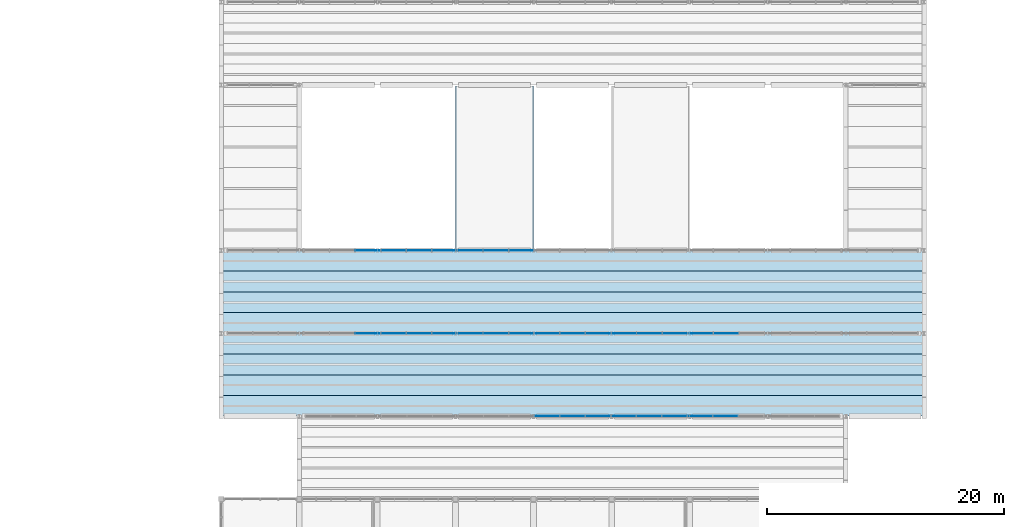
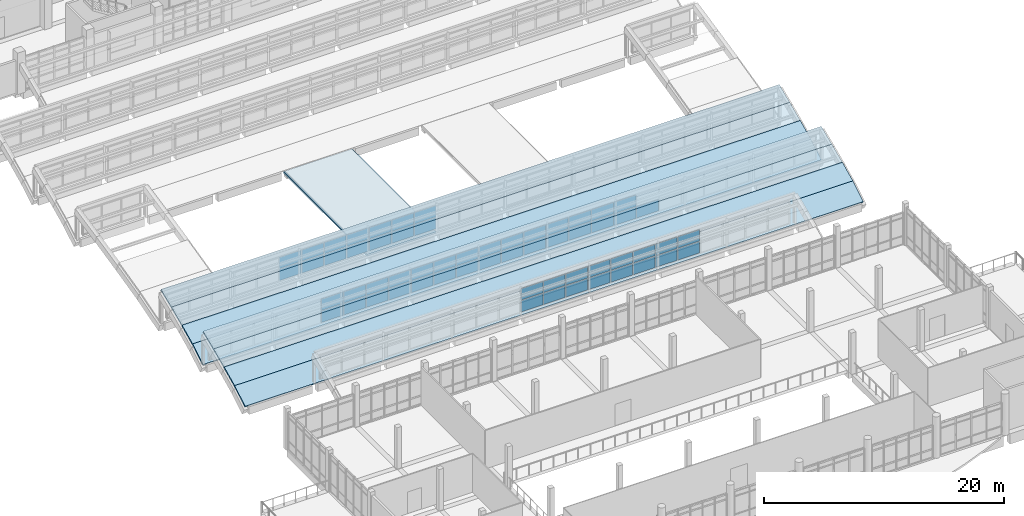
# One storey, part 69 of 92: 59 plates, 9 slabs, 4 elements without a shape of their own.
"""IFC4 building model written with IfcOpenShell, lengths in metres."""

from ifc_helpers import new_model, si_unit, direction, frame, origin, origin_2d, place, context, subcontext, project, spatial, polyline, rectangle, outline, extrude, material, layer, layer_set, type_object, element, aggregate, save


model = new_model("IFC4")

# Units and contexts
model_context = context("Model", 3, precision=1e-05, world=origin(), true_north=direction((0.0, 1.0)))
body_context = subcontext(model_context, "Body", "Model", "MODEL_VIEW")
ifc_project = project(units=[si_unit("LENGTHUNIT", "METRE"), si_unit("AREAUNIT", "SQUARE_METRE"), si_unit("VOLUMEUNIT", "CUBIC_METRE"), si_unit("PLANEANGLEUNIT", "RADIAN"), si_unit("MASSUNIT", "GRAM", prefix="KILO")], contexts=[model_context])

# Site, building, storey
site_placement = place(None, origin())
site = spatial("IfcSite", under=ifc_project, at=site_placement, CompositionType="ELEMENT")
building_placement = place(site_placement, origin())
building = spatial("IfcBuilding", under=site, at=building_placement, Name="Ciguamira Faculty of Natural Sciences", CompositionType="ELEMENT")
storey_placement = place(building_placement, frame((0.0, 0.0, 16.800048828125)))
storey = spatial("IfcBuildingStorey", under=building, at=storey_placement, Name="L04", CompositionType="ELEMENT", Elevation=16.800048828125)

# Curtain wall, plates
ifc_material_1 = material(Name="Anodized aluminium curtain wall", Category="aluminium")
curtain_wall_type_1 = type_object("IfcCurtainWallType", Name="CurtainWall_CW-02", PredefinedType="USERDEFINED", material=ifc_material_1)
curtain_wall_1_placement = place(storey_placement, origin())
curtain_wall_1 = element("IfcCurtainWall", 1, at=curtain_wall_1_placement, inside=storey, type_object=curtain_wall_type_1, Name="V4 north-light wave 1 clerestory glazing 1", ObjectType="UNITISED CURTAIN WALL", PredefinedType="USERDEFINED")
ifc_material_2 = material(Name="Low-E laminated solar glass", Category="glass")
ifc_layer_1 = layer(ifc_material_2, 0.035888671875, Name="Low-E laminated solar glass")
ifc_layer_set_1 = layer_set([ifc_layer_1], Name="Low-E laminated solar glass")
plate_type = type_object("IfcPlateType", Name="CWPanel_CWP-02", PredefinedType="CURTAIN_PANEL", material=ifc_layer_set_1)
plate_1_placement = place(storey_placement, frame((84.84765625, 45.0, 0.31982421875), z_axis=(0.0, 0.0, 1.0), x_axis=(1.0, 0.0, 0.0)))
plate_1 = element("IfcPlate", 2, at=plate_1_placement, type_object=plate_type, Name="CW-02 panel 10.1", PredefinedType="CURTAIN_PANEL", context=body_context, shape_type="SweptSolid", body=[
    extrude(rectangle(XDim=2.082275390625, YDim=0.035888671875, at=origin_2d()), origin(), (0.0, 0.0, 1.0), 1.14501953125),
])
plate_2_placement = place(storey_placement, frame((84.84765625, 45.0, 1.534912109375), z_axis=(0.0, 0.0, 1.0), x_axis=(1.0, 0.0, 0.0)))
plate_2 = element("IfcPlate", 3, at=plate_2_placement, type_object=plate_type, Name="CW-02 panel 10.2", PredefinedType="CURTAIN_PANEL", context=body_context, shape_type="SweptSolid", body=[
    extrude(rectangle(XDim=2.082275390625, YDim=0.035888671875, at=origin_2d()), origin(), (0.0, 0.0, 1.0), 1.14501953125),
])
plate_3_placement = place(storey_placement, frame((87.0, 45.0, 0.31982421875), z_axis=(0.0, 0.0, 1.0), x_axis=(1.0, 0.0, 0.0)))
plate_3 = element("IfcPlate", 4, at=plate_3_placement, type_object=plate_type, Name="CW-02 panel 11.1", PredefinedType="CURTAIN_PANEL", context=body_context, shape_type="SweptSolid", body=[
    extrude(rectangle(XDim=2.082275390625, YDim=0.035888671875, at=origin_2d()), origin(), (0.0, 0.0, 1.0), 1.14501953125),
])
plate_4_placement = place(storey_placement, frame((87.0, 45.0, 1.534912109375), z_axis=(0.0, 0.0, 1.0), x_axis=(1.0, 0.0, 0.0)))
plate_4 = element("IfcPlate", 5, at=plate_4_placement, type_object=plate_type, Name="CW-02 panel 11.2", PredefinedType="CURTAIN_PANEL", context=body_context, shape_type="SweptSolid", body=[
    extrude(rectangle(XDim=2.082275390625, YDim=0.035888671875, at=origin_2d()), origin(), (0.0, 0.0, 1.0), 1.14501953125),
])
plate_5_placement = place(storey_placement, frame((89.15234375, 45.0, 0.31982421875), z_axis=(0.0, 0.0, 1.0), x_axis=(1.0, 0.0, 0.0)))
plate_5 = element("IfcPlate", 6, at=plate_5_placement, type_object=plate_type, Name="CW-02 panel 12.1", PredefinedType="CURTAIN_PANEL", context=body_context, shape_type="SweptSolid", body=[
    extrude(rectangle(XDim=2.082275390625, YDim=0.035888671875, at=origin_2d()), origin(), (0.0, 0.0, 1.0), 1.14501953125),
])
plate_6_placement = place(storey_placement, frame((89.15234375, 45.0, 1.534912109375), z_axis=(0.0, 0.0, 1.0), x_axis=(1.0, 0.0, 0.0)))
plate_6 = element("IfcPlate", 7, at=plate_6_placement, type_object=plate_type, Name="CW-02 panel 12.2", PredefinedType="CURTAIN_PANEL", context=body_context, shape_type="SweptSolid", body=[
    extrude(rectangle(XDim=2.082275390625, YDim=0.035888671875, at=origin_2d()), origin(), (0.0, 0.0, 1.0), 1.14501953125),
])
plate_7_placement = place(storey_placement, frame((91.3046875, 45.0, 0.31982421875), z_axis=(0.0, 0.0, 1.0), x_axis=(1.0, 0.0, 0.0)))
plate_7 = element("IfcPlate", 8, at=plate_7_placement, type_object=plate_type, Name="CW-02 panel 13.1", PredefinedType="CURTAIN_PANEL", context=body_context, shape_type="SweptSolid", body=[
    extrude(rectangle(XDim=2.082275390625, YDim=0.035888671875, at=origin_2d()), origin(), (0.0, 0.0, 1.0), 1.14501953125),
])
plate_8_placement = place(storey_placement, frame((91.3046875, 45.0, 1.534912109375), z_axis=(0.0, 0.0, 1.0), x_axis=(1.0, 0.0, 0.0)))
plate_8 = element("IfcPlate", 9, at=plate_8_placement, type_object=plate_type, Name="CW-02 panel 13.2", PredefinedType="CURTAIN_PANEL", context=body_context, shape_type="SweptSolid", body=[
    extrude(rectangle(XDim=2.082275390625, YDim=0.035888671875, at=origin_2d()), origin(), (0.0, 0.0, 1.0), 1.14501953125),
])
plate_9_placement = place(storey_placement, frame((93.45703125, 45.0, 0.31982421875), z_axis=(0.0, 0.0, 1.0), x_axis=(1.0, 0.0, 0.0)))
plate_9 = element("IfcPlate", 10, at=plate_9_placement, type_object=plate_type, Name="CW-02 panel 14.1", PredefinedType="CURTAIN_PANEL", context=body_context, shape_type="SweptSolid", body=[
    extrude(rectangle(XDim=2.082275390625, YDim=0.035888671875, at=origin_2d()), origin(), (0.0, 0.0, 1.0), 1.14501953125),
])
plate_10_placement = place(storey_placement, frame((93.45703125, 45.0, 1.534912109375), z_axis=(0.0, 0.0, 1.0), x_axis=(1.0, 0.0, 0.0)))
plate_10 = element("IfcPlate", 11, at=plate_10_placement, type_object=plate_type, Name="CW-02 panel 14.2", PredefinedType="CURTAIN_PANEL", context=body_context, shape_type="SweptSolid", body=[
    extrude(rectangle(XDim=2.082275390625, YDim=0.035888671875, at=origin_2d()), origin(), (0.0, 0.0, 1.0), 1.14501953125),
])
plate_11_placement = place(storey_placement, frame((95.609619140625, 45.0, 0.31982421875), z_axis=(0.0, 0.0, 1.0), x_axis=(1.0, 0.0, 0.0)))
plate_11 = element("IfcPlate", 12, at=plate_11_placement, type_object=plate_type, Name="CW-02 panel 15.1", PredefinedType="CURTAIN_PANEL", context=body_context, shape_type="SweptSolid", body=[
    extrude(rectangle(XDim=2.082275390625, YDim=0.035888671875, at=origin_2d()), origin(), (0.0, 0.0, 1.0), 1.14501953125),
])
plate_12_placement = place(storey_placement, frame((95.609619140625, 45.0, 1.534912109375), z_axis=(0.0, 0.0, 1.0), x_axis=(1.0, 0.0, 0.0)))
plate_12 = element("IfcPlate", 13, at=plate_12_placement, type_object=plate_type, Name="CW-02 panel 15.2", PredefinedType="CURTAIN_PANEL", context=body_context, shape_type="SweptSolid", body=[
    extrude(rectangle(XDim=2.082275390625, YDim=0.035888671875, at=origin_2d()), origin(), (0.0, 0.0, 1.0), 1.14501953125),
])
plate_13_placement = place(storey_placement, frame((97.761962890625, 45.0, 0.31982421875), z_axis=(0.0, 0.0, 1.0), x_axis=(1.0, 0.0, 0.0)))
plate_13 = element("IfcPlate", 14, at=plate_13_placement, type_object=plate_type, Name="CW-02 panel 16.1", PredefinedType="CURTAIN_PANEL", context=body_context, shape_type="SweptSolid", body=[
    extrude(rectangle(XDim=2.082275390625, YDim=0.035888671875, at=origin_2d()), origin(), (0.0, 0.0, 1.0), 1.14501953125),
])
plate_14_placement = place(storey_placement, frame((97.761962890625, 45.0, 1.534912109375), z_axis=(0.0, 0.0, 1.0), x_axis=(1.0, 0.0, 0.0)))
plate_14 = element("IfcPlate", 15, at=plate_14_placement, type_object=plate_type, Name="CW-02 panel 16.2", PredefinedType="CURTAIN_PANEL", context=body_context, shape_type="SweptSolid", body=[
    extrude(rectangle(XDim=2.082275390625, YDim=0.035888671875, at=origin_2d()), origin(), (0.0, 0.0, 1.0), 1.14501953125),
])
plate_15_placement = place(storey_placement, frame((99.914306640625, 45.0, 0.31982421875), z_axis=(0.0, 0.0, 1.0), x_axis=(1.0, 0.0, 0.0)))
plate_15 = element("IfcPlate", 16, at=plate_15_placement, type_object=plate_type, Name="CW-02 panel 17.1", PredefinedType="CURTAIN_PANEL", context=body_context, shape_type="SweptSolid", body=[
    extrude(rectangle(XDim=2.082275390625, YDim=0.035888671875, at=origin_2d()), origin(), (0.0, 0.0, 1.0), 1.14501953125),
])
plate_16_placement = place(storey_placement, frame((99.914306640625, 45.0, 1.534912109375), z_axis=(0.0, 0.0, 1.0), x_axis=(1.0, 0.0, 0.0)))
plate_16 = element("IfcPlate", 17, at=plate_16_placement, type_object=plate_type, Name="CW-02 panel 17.2", PredefinedType="CURTAIN_PANEL", context=body_context, shape_type="SweptSolid", body=[
    extrude(rectangle(XDim=2.082275390625, YDim=0.035888671875, at=origin_2d()), origin(), (0.0, 0.0, 1.0), 1.14501953125),
])
aggregate(curtain_wall_1, [plate_1, plate_2, plate_3, plate_4, plate_5, plate_6, plate_7, plate_8, plate_9, plate_10, plate_11, plate_12, plate_13, plate_14, plate_15, plate_16])

curtain_wall_type_2 = type_object("IfcCurtainWallType", Name="CurtainWall_CW-03", PredefinedType="USERDEFINED", material=ifc_material_1)
curtain_wall_2_placement = place(storey_placement, origin())
curtain_wall_2 = element("IfcCurtainWall", 18, at=curtain_wall_2_placement, inside=storey, type_object=curtain_wall_type_2, Name="V4 north-light wave 2 clerestory glazing 1", ObjectType="UNITISED CURTAIN WALL", PredefinedType="USERDEFINED")
plate_17_placement = place(storey_placement, frame((69.6962890625, 52.0, 0.31982421875), z_axis=(0.0, 0.0, 1.0), x_axis=(1.0, 0.0, 0.0)))
plate_17 = element("IfcPlate", 19, at=plate_17_placement, type_object=plate_type, Name="CW-03 panel 6.1", PredefinedType="CURTAIN_PANEL", context=body_context, shape_type="SweptSolid", body=[
    extrude(rectangle(XDim=2.093017578125, YDim=0.035888671875, at=origin_2d()), origin(), (0.0, 0.0, 1.0), 1.14501953125),
])
plate_18_placement = place(storey_placement, frame((69.6962890625, 52.0, 1.534912109375), z_axis=(0.0, 0.0, 1.0), x_axis=(1.0, 0.0, 0.0)))
plate_18 = element("IfcPlate", 20, at=plate_18_placement, type_object=plate_type, Name="CW-03 panel 6.2", PredefinedType="CURTAIN_PANEL", context=body_context, shape_type="SweptSolid", body=[
    extrude(rectangle(XDim=2.093017578125, YDim=0.035888671875, at=origin_2d()), origin(), (0.0, 0.0, 1.0), 1.14501953125),
])
plate_19_placement = place(storey_placement, frame((71.859375, 52.0, 0.31982421875), z_axis=(0.0, 0.0, 1.0), x_axis=(1.0, 0.0, 0.0)))
plate_19 = element("IfcPlate", 21, at=plate_19_placement, type_object=plate_type, Name="CW-03 panel 7.1", PredefinedType="CURTAIN_PANEL", context=body_context, shape_type="SweptSolid", body=[
    extrude(rectangle(XDim=2.093017578125, YDim=0.035888671875, at=origin_2d()), origin(), (0.0, 0.0, 1.0), 1.14501953125),
])
plate_20_placement = place(storey_placement, frame((71.859375, 52.0, 1.534912109375), z_axis=(0.0, 0.0, 1.0), x_axis=(1.0, 0.0, 0.0)))
plate_20 = element("IfcPlate", 22, at=plate_20_placement, type_object=plate_type, Name="CW-03 panel 7.2", PredefinedType="CURTAIN_PANEL", context=body_context, shape_type="SweptSolid", body=[
    extrude(rectangle(XDim=2.093017578125, YDim=0.035888671875, at=origin_2d()), origin(), (0.0, 0.0, 1.0), 1.14501953125),
])
plate_21_placement = place(storey_placement, frame((74.022216796875, 52.0, 0.31982421875), z_axis=(0.0, 0.0, 1.0), x_axis=(1.0, 0.0, 0.0)))
plate_21 = element("IfcPlate", 23, at=plate_21_placement, type_object=plate_type, Name="CW-03 panel 8.1", PredefinedType="CURTAIN_PANEL", context=body_context, shape_type="SweptSolid", body=[
    extrude(rectangle(XDim=2.093017578125, YDim=0.035888671875, at=origin_2d()), origin(), (0.0, 0.0, 1.0), 1.14501953125),
])
plate_22_placement = place(storey_placement, frame((74.022216796875, 52.0, 1.534912109375), z_axis=(0.0, 0.0, 1.0), x_axis=(1.0, 0.0, 0.0)))
plate_22 = element("IfcPlate", 24, at=plate_22_placement, type_object=plate_type, Name="CW-03 panel 8.2", PredefinedType="CURTAIN_PANEL", context=body_context, shape_type="SweptSolid", body=[
    extrude(rectangle(XDim=2.093017578125, YDim=0.035888671875, at=origin_2d()), origin(), (0.0, 0.0, 1.0), 1.14501953125),
])
plate_23_placement = place(storey_placement, frame((76.185302734375, 52.0, 0.31982421875), z_axis=(0.0, 0.0, 1.0), x_axis=(1.0, 0.0, 0.0)))
plate_23 = element("IfcPlate", 25, at=plate_23_placement, type_object=plate_type, Name="CW-03 panel 9.1", PredefinedType="CURTAIN_PANEL", context=body_context, shape_type="SweptSolid", body=[
    extrude(rectangle(XDim=2.093017578125, YDim=0.035888671875, at=origin_2d()), origin(), (0.0, 0.0, 1.0), 1.14501953125),
])
plate_24_placement = place(storey_placement, frame((76.185302734375, 52.0, 1.534912109375), z_axis=(0.0, 0.0, 1.0), x_axis=(1.0, 0.0, 0.0)))
plate_24 = element("IfcPlate", 26, at=plate_24_placement, type_object=plate_type, Name="CW-03 panel 9.2", PredefinedType="CURTAIN_PANEL", context=body_context, shape_type="SweptSolid", body=[
    extrude(rectangle(XDim=2.093017578125, YDim=0.035888671875, at=origin_2d()), origin(), (0.0, 0.0, 1.0), 1.14501953125),
])
plate_25_placement = place(storey_placement, frame((78.34814453125, 52.0, 0.31982421875), z_axis=(0.0, 0.0, 1.0), x_axis=(1.0, 0.0, 0.0)))
plate_25 = element("IfcPlate", 27, at=plate_25_placement, type_object=plate_type, Name="CW-03 panel 10.1", PredefinedType="CURTAIN_PANEL", context=body_context, shape_type="SweptSolid", body=[
    extrude(rectangle(XDim=2.093017578125, YDim=0.035888671875, at=origin_2d()), origin(), (0.0, 0.0, 1.0), 1.14501953125),
])
plate_26_placement = place(storey_placement, frame((78.34814453125, 52.0, 1.534912109375), z_axis=(0.0, 0.0, 1.0), x_axis=(1.0, 0.0, 0.0)))
plate_26 = element("IfcPlate", 28, at=plate_26_placement, type_object=plate_type, Name="CW-03 panel 10.2", PredefinedType="CURTAIN_PANEL", context=body_context, shape_type="SweptSolid", body=[
    extrude(rectangle(XDim=2.093017578125, YDim=0.035888671875, at=origin_2d()), origin(), (0.0, 0.0, 1.0), 1.14501953125),
])
plate_27_placement = place(storey_placement, frame((80.51123046875, 52.0, 0.31982421875), z_axis=(0.0, 0.0, 1.0), x_axis=(1.0, 0.0, 0.0)))
plate_27 = element("IfcPlate", 29, at=plate_27_placement, type_object=plate_type, Name="CW-03 panel 11.1", PredefinedType="CURTAIN_PANEL", context=body_context, shape_type="SweptSolid", body=[
    extrude(rectangle(XDim=2.093017578125, YDim=0.035888671875, at=origin_2d()), origin(), (0.0, 0.0, 1.0), 1.14501953125),
])
plate_28_placement = place(storey_placement, frame((80.51123046875, 52.0, 1.534912109375), z_axis=(0.0, 0.0, 1.0), x_axis=(1.0, 0.0, 0.0)))
plate_28 = element("IfcPlate", 30, at=plate_28_placement, type_object=plate_type, Name="CW-03 panel 11.2", PredefinedType="CURTAIN_PANEL", context=body_context, shape_type="SweptSolid", body=[
    extrude(rectangle(XDim=2.093017578125, YDim=0.035888671875, at=origin_2d()), origin(), (0.0, 0.0, 1.0), 1.14501953125),
])
plate_29_placement = place(storey_placement, frame((82.674072265625, 52.0, 0.31982421875), z_axis=(0.0, 0.0, 1.0), x_axis=(1.0, 0.0, 0.0)))
plate_29 = element("IfcPlate", 31, at=plate_29_placement, type_object=plate_type, Name="CW-03 panel 12.1", PredefinedType="CURTAIN_PANEL", context=body_context, shape_type="SweptSolid", body=[
    extrude(rectangle(XDim=2.093017578125, YDim=0.035888671875, at=origin_2d()), origin(), (0.0, 0.0, 1.0), 1.14501953125),
])
plate_30_placement = place(storey_placement, frame((82.674072265625, 52.0, 1.534912109375), z_axis=(0.0, 0.0, 1.0), x_axis=(1.0, 0.0, 0.0)))
plate_30 = element("IfcPlate", 32, at=plate_30_placement, type_object=plate_type, Name="CW-03 panel 12.2", PredefinedType="CURTAIN_PANEL", context=body_context, shape_type="SweptSolid", body=[
    extrude(rectangle(XDim=2.093017578125, YDim=0.035888671875, at=origin_2d()), origin(), (0.0, 0.0, 1.0), 1.14501953125),
])
plate_31_placement = place(storey_placement, frame((84.837158203125, 52.0, 0.31982421875), z_axis=(0.0, 0.0, 1.0), x_axis=(1.0, 0.0, 0.0)))
plate_31 = element("IfcPlate", 33, at=plate_31_placement, type_object=plate_type, Name="CW-03 panel 13.1", PredefinedType="CURTAIN_PANEL", context=body_context, shape_type="SweptSolid", body=[
    extrude(rectangle(XDim=2.093017578125, YDim=0.035888671875, at=origin_2d()), origin(), (0.0, 0.0, 1.0), 1.14501953125),
])
plate_32_placement = place(storey_placement, frame((84.837158203125, 52.0, 1.534912109375), z_axis=(0.0, 0.0, 1.0), x_axis=(1.0, 0.0, 0.0)))
plate_32 = element("IfcPlate", 34, at=plate_32_placement, type_object=plate_type, Name="CW-03 panel 13.2", PredefinedType="CURTAIN_PANEL", context=body_context, shape_type="SweptSolid", body=[
    extrude(rectangle(XDim=2.093017578125, YDim=0.035888671875, at=origin_2d()), origin(), (0.0, 0.0, 1.0), 1.14501953125),
])
plate_33_placement = place(storey_placement, frame((87.0, 52.0, 0.31982421875), z_axis=(0.0, 0.0, 1.0), x_axis=(1.0, 0.0, 0.0)))
plate_33 = element("IfcPlate", 35, at=plate_33_placement, type_object=plate_type, Name="CW-03 panel 14.1", PredefinedType="CURTAIN_PANEL", context=body_context, shape_type="SweptSolid", body=[
    extrude(rectangle(XDim=2.093017578125, YDim=0.035888671875, at=origin_2d()), origin(), (0.0, 0.0, 1.0), 1.14501953125),
])
plate_34_placement = place(storey_placement, frame((87.0, 52.0, 1.534912109375), z_axis=(0.0, 0.0, 1.0), x_axis=(1.0, 0.0, 0.0)))
plate_34 = element("IfcPlate", 36, at=plate_34_placement, type_object=plate_type, Name="CW-03 panel 14.2", PredefinedType="CURTAIN_PANEL", context=body_context, shape_type="SweptSolid", body=[
    extrude(rectangle(XDim=2.093017578125, YDim=0.035888671875, at=origin_2d()), origin(), (0.0, 0.0, 1.0), 1.14501953125),
])
plate_35_placement = place(storey_placement, frame((89.162841796875, 52.0, 0.31982421875), z_axis=(0.0, 0.0, 1.0), x_axis=(1.0, 0.0, 0.0)))
plate_35 = element("IfcPlate", 37, at=plate_35_placement, type_object=plate_type, Name="CW-03 panel 15.1", PredefinedType="CURTAIN_PANEL", context=body_context, shape_type="SweptSolid", body=[
    extrude(rectangle(XDim=2.093017578125, YDim=0.035888671875, at=origin_2d()), origin(), (0.0, 0.0, 1.0), 1.14501953125),
])
plate_36_placement = place(storey_placement, frame((89.162841796875, 52.0, 1.534912109375), z_axis=(0.0, 0.0, 1.0), x_axis=(1.0, 0.0, 0.0)))
plate_36 = element("IfcPlate", 38, at=plate_36_placement, type_object=plate_type, Name="CW-03 panel 15.2", PredefinedType="CURTAIN_PANEL", context=body_context, shape_type="SweptSolid", body=[
    extrude(rectangle(XDim=2.093017578125, YDim=0.035888671875, at=origin_2d()), origin(), (0.0, 0.0, 1.0), 1.14501953125),
])
plate_37_placement = place(storey_placement, frame((91.325927734375, 52.0, 0.31982421875), z_axis=(0.0, 0.0, 1.0), x_axis=(1.0, 0.0, 0.0)))
plate_37 = element("IfcPlate", 39, at=plate_37_placement, type_object=plate_type, Name="CW-03 panel 16.1", PredefinedType="CURTAIN_PANEL", context=body_context, shape_type="SweptSolid", body=[
    extrude(rectangle(XDim=2.093017578125, YDim=0.035888671875, at=origin_2d()), origin(), (0.0, 0.0, 1.0), 1.14501953125),
])
plate_38_placement = place(storey_placement, frame((91.325927734375, 52.0, 1.534912109375), z_axis=(0.0, 0.0, 1.0), x_axis=(1.0, 0.0, 0.0)))
plate_38 = element("IfcPlate", 40, at=plate_38_placement, type_object=plate_type, Name="CW-03 panel 16.2", PredefinedType="CURTAIN_PANEL", context=body_context, shape_type="SweptSolid", body=[
    extrude(rectangle(XDim=2.093017578125, YDim=0.035888671875, at=origin_2d()), origin(), (0.0, 0.0, 1.0), 1.14501953125),
])
plate_39_placement = place(storey_placement, frame((93.48876953125, 52.0, 0.31982421875), z_axis=(0.0, 0.0, 1.0), x_axis=(1.0, 0.0, 0.0)))
plate_39 = element("IfcPlate", 41, at=plate_39_placement, type_object=plate_type, Name="CW-03 panel 17.1", PredefinedType="CURTAIN_PANEL", context=body_context, shape_type="SweptSolid", body=[
    extrude(rectangle(XDim=2.093017578125, YDim=0.035888671875, at=origin_2d()), origin(), (0.0, 0.0, 1.0), 1.14501953125),
])
plate_40_placement = place(storey_placement, frame((93.48876953125, 52.0, 1.534912109375), z_axis=(0.0, 0.0, 1.0), x_axis=(1.0, 0.0, 0.0)))
plate_40 = element("IfcPlate", 42, at=plate_40_placement, type_object=plate_type, Name="CW-03 panel 17.2", PredefinedType="CURTAIN_PANEL", context=body_context, shape_type="SweptSolid", body=[
    extrude(rectangle(XDim=2.093017578125, YDim=0.035888671875, at=origin_2d()), origin(), (0.0, 0.0, 1.0), 1.14501953125),
])
plate_41_placement = place(storey_placement, frame((95.65185546875, 52.0, 0.31982421875), z_axis=(0.0, 0.0, 1.0), x_axis=(1.0, 0.0, 0.0)))
plate_41 = element("IfcPlate", 43, at=plate_41_placement, type_object=plate_type, Name="CW-03 panel 18.1", PredefinedType="CURTAIN_PANEL", context=body_context, shape_type="SweptSolid", body=[
    extrude(rectangle(XDim=2.093017578125, YDim=0.035888671875, at=origin_2d()), origin(), (0.0, 0.0, 1.0), 1.14501953125),
])
plate_42_placement = place(storey_placement, frame((95.65185546875, 52.0, 1.534912109375), z_axis=(0.0, 0.0, 1.0), x_axis=(1.0, 0.0, 0.0)))
plate_42 = element("IfcPlate", 44, at=plate_42_placement, type_object=plate_type, Name="CW-03 panel 18.2", PredefinedType="CURTAIN_PANEL", context=body_context, shape_type="SweptSolid", body=[
    extrude(rectangle(XDim=2.093017578125, YDim=0.035888671875, at=origin_2d()), origin(), (0.0, 0.0, 1.0), 1.14501953125),
])
plate_43_placement = place(storey_placement, frame((97.814697265625, 52.0, 0.31982421875), z_axis=(0.0, 0.0, 1.0), x_axis=(1.0, 0.0, 0.0)))
plate_43 = element("IfcPlate", 45, at=plate_43_placement, type_object=plate_type, Name="CW-03 panel 19.1", PredefinedType="CURTAIN_PANEL", context=body_context, shape_type="SweptSolid", body=[
    extrude(rectangle(XDim=2.093017578125, YDim=0.035888671875, at=origin_2d()), origin(), (0.0, 0.0, 1.0), 1.14501953125),
])
plate_44_placement = place(storey_placement, frame((97.814697265625, 52.0, 1.534912109375), z_axis=(0.0, 0.0, 1.0), x_axis=(1.0, 0.0, 0.0)))
plate_44 = element("IfcPlate", 46, at=plate_44_placement, type_object=plate_type, Name="CW-03 panel 19.2", PredefinedType="CURTAIN_PANEL", context=body_context, shape_type="SweptSolid", body=[
    extrude(rectangle(XDim=2.093017578125, YDim=0.035888671875, at=origin_2d()), origin(), (0.0, 0.0, 1.0), 1.14501953125),
])
plate_45_placement = place(storey_placement, frame((99.977783203125, 52.0, 0.31982421875), z_axis=(0.0, 0.0, 1.0), x_axis=(1.0, 0.0, 0.0)))
plate_45 = element("IfcPlate", 47, at=plate_45_placement, type_object=plate_type, Name="CW-03 panel 20.1", PredefinedType="CURTAIN_PANEL", context=body_context, shape_type="SweptSolid", body=[
    extrude(rectangle(XDim=2.093017578125, YDim=0.035888671875, at=origin_2d()), origin(), (0.0, 0.0, 1.0), 1.14501953125),
])
aggregate(curtain_wall_2, [plate_17, plate_18, plate_19, plate_20, plate_21, plate_22, plate_23, plate_24, plate_25, plate_26, plate_27, plate_28, plate_29, plate_30, plate_31, plate_32, plate_33, plate_34, plate_35, plate_36, plate_37, plate_38, plate_39, plate_40, plate_41, plate_42, plate_43, plate_44, plate_45])

curtain_wall_type_3 = type_object("IfcCurtainWallType", Name="CurtainWall_CW-04", PredefinedType="USERDEFINED", material=ifc_material_1)
curtain_wall_3_placement = place(storey_placement, origin())
curtain_wall_3 = element("IfcCurtainWall", 48, at=curtain_wall_3_placement, inside=storey, type_object=curtain_wall_type_3, Name="V4 north-light wave 3 clerestory glazing 1", ObjectType="UNITISED CURTAIN WALL", PredefinedType="USERDEFINED")
plate_46_placement = place(storey_placement, frame((69.6962890625, 59.0, 0.31982421875), z_axis=(0.0, 0.0, 1.0), x_axis=(1.0, 0.0, 0.0)))
plate_46 = element("IfcPlate", 49, at=plate_46_placement, type_object=plate_type, Name="CW-04 panel 6.1", PredefinedType="CURTAIN_PANEL", context=body_context, shape_type="SweptSolid", body=[
    extrude(rectangle(XDim=2.093017578125, YDim=0.035888671875, at=origin_2d()), origin(), (0.0, 0.0, 1.0), 1.14501953125),
])
plate_47_placement = place(storey_placement, frame((69.6962890625, 59.0, 1.534912109375), z_axis=(0.0, 0.0, 1.0), x_axis=(1.0, 0.0, 0.0)))
plate_47 = element("IfcPlate", 50, at=plate_47_placement, type_object=plate_type, Name="CW-04 panel 6.2", PredefinedType="CURTAIN_PANEL", context=body_context, shape_type="SweptSolid", body=[
    extrude(rectangle(XDim=2.093017578125, YDim=0.035888671875, at=origin_2d()), origin(), (0.0, 0.0, 1.0), 1.14501953125),
])
plate_48_placement = place(storey_placement, frame((71.859375, 59.0, 0.31982421875), z_axis=(0.0, 0.0, 1.0), x_axis=(1.0, 0.0, 0.0)))
plate_48 = element("IfcPlate", 51, at=plate_48_placement, type_object=plate_type, Name="CW-04 panel 7.1", PredefinedType="CURTAIN_PANEL", context=body_context, shape_type="SweptSolid", body=[
    extrude(rectangle(XDim=2.093017578125, YDim=0.035888671875, at=origin_2d()), origin(), (0.0, 0.0, 1.0), 1.14501953125),
])
plate_49_placement = place(storey_placement, frame((71.859375, 59.0, 1.534912109375), z_axis=(0.0, 0.0, 1.0), x_axis=(1.0, 0.0, 0.0)))
plate_49 = element("IfcPlate", 52, at=plate_49_placement, type_object=plate_type, Name="CW-04 panel 7.2", PredefinedType="CURTAIN_PANEL", context=body_context, shape_type="SweptSolid", body=[
    extrude(rectangle(XDim=2.093017578125, YDim=0.035888671875, at=origin_2d()), origin(), (0.0, 0.0, 1.0), 1.14501953125),
])
plate_50_placement = place(storey_placement, frame((74.022216796875, 59.0, 0.31982421875), z_axis=(0.0, 0.0, 1.0), x_axis=(1.0, 0.0, 0.0)))
plate_50 = element("IfcPlate", 53, at=plate_50_placement, type_object=plate_type, Name="CW-04 panel 8.1", PredefinedType="CURTAIN_PANEL", context=body_context, shape_type="SweptSolid", body=[
    extrude(rectangle(XDim=2.093017578125, YDim=0.035888671875, at=origin_2d()), origin(), (0.0, 0.0, 1.0), 1.14501953125),
])
plate_51_placement = place(storey_placement, frame((74.022216796875, 59.0, 1.534912109375), z_axis=(0.0, 0.0, 1.0), x_axis=(1.0, 0.0, 0.0)))
plate_51 = element("IfcPlate", 54, at=plate_51_placement, type_object=plate_type, Name="CW-04 panel 8.2", PredefinedType="CURTAIN_PANEL", context=body_context, shape_type="SweptSolid", body=[
    extrude(rectangle(XDim=2.093017578125, YDim=0.035888671875, at=origin_2d()), origin(), (0.0, 0.0, 1.0), 1.14501953125),
])
plate_52_placement = place(storey_placement, frame((76.185302734375, 59.0, 0.31982421875), z_axis=(0.0, 0.0, 1.0), x_axis=(1.0, 0.0, 0.0)))
plate_52 = element("IfcPlate", 55, at=plate_52_placement, type_object=plate_type, Name="CW-04 panel 9.1", PredefinedType="CURTAIN_PANEL", context=body_context, shape_type="SweptSolid", body=[
    extrude(rectangle(XDim=2.093017578125, YDim=0.035888671875, at=origin_2d()), origin(), (0.0, 0.0, 1.0), 1.14501953125),
])
plate_53_placement = place(storey_placement, frame((76.185302734375, 59.0, 1.534912109375), z_axis=(0.0, 0.0, 1.0), x_axis=(1.0, 0.0, 0.0)))
plate_53 = element("IfcPlate", 56, at=plate_53_placement, type_object=plate_type, Name="CW-04 panel 9.2", PredefinedType="CURTAIN_PANEL", context=body_context, shape_type="SweptSolid", body=[
    extrude(rectangle(XDim=2.093017578125, YDim=0.035888671875, at=origin_2d()), origin(), (0.0, 0.0, 1.0), 1.14501953125),
])
plate_54_placement = place(storey_placement, frame((78.34814453125, 59.0, 0.31982421875), z_axis=(0.0, 0.0, 1.0), x_axis=(1.0, 0.0, 0.0)))
plate_54 = element("IfcPlate", 57, at=plate_54_placement, type_object=plate_type, Name="CW-04 panel 10.1", PredefinedType="CURTAIN_PANEL", context=body_context, shape_type="SweptSolid", body=[
    extrude(rectangle(XDim=2.093017578125, YDim=0.035888671875, at=origin_2d()), origin(), (0.0, 0.0, 1.0), 1.14501953125),
])
plate_55_placement = place(storey_placement, frame((78.34814453125, 59.0, 1.534912109375), z_axis=(0.0, 0.0, 1.0), x_axis=(1.0, 0.0, 0.0)))
plate_55 = element("IfcPlate", 58, at=plate_55_placement, type_object=plate_type, Name="CW-04 panel 10.2", PredefinedType="CURTAIN_PANEL", context=body_context, shape_type="SweptSolid", body=[
    extrude(rectangle(XDim=2.093017578125, YDim=0.035888671875, at=origin_2d()), origin(), (0.0, 0.0, 1.0), 1.14501953125),
])
plate_56_placement = place(storey_placement, frame((80.51123046875, 59.0, 0.31982421875), z_axis=(0.0, 0.0, 1.0), x_axis=(1.0, 0.0, 0.0)))
plate_56 = element("IfcPlate", 59, at=plate_56_placement, type_object=plate_type, Name="CW-04 panel 11.1", PredefinedType="CURTAIN_PANEL", context=body_context, shape_type="SweptSolid", body=[
    extrude(rectangle(XDim=2.093017578125, YDim=0.035888671875, at=origin_2d()), origin(), (0.0, 0.0, 1.0), 1.14501953125),
])
plate_57_placement = place(storey_placement, frame((80.51123046875, 59.0, 1.534912109375), z_axis=(0.0, 0.0, 1.0), x_axis=(1.0, 0.0, 0.0)))
plate_57 = element("IfcPlate", 60, at=plate_57_placement, type_object=plate_type, Name="CW-04 panel 11.2", PredefinedType="CURTAIN_PANEL", context=body_context, shape_type="SweptSolid", body=[
    extrude(rectangle(XDim=2.093017578125, YDim=0.035888671875, at=origin_2d()), origin(), (0.0, 0.0, 1.0), 1.14501953125),
])
plate_58_placement = place(storey_placement, frame((82.674072265625, 59.0, 0.31982421875), z_axis=(0.0, 0.0, 1.0), x_axis=(1.0, 0.0, 0.0)))
plate_58 = element("IfcPlate", 61, at=plate_58_placement, type_object=plate_type, Name="CW-04 panel 12.1", PredefinedType="CURTAIN_PANEL", context=body_context, shape_type="SweptSolid", body=[
    extrude(rectangle(XDim=2.093017578125, YDim=0.035888671875, at=origin_2d()), origin(), (0.0, 0.0, 1.0), 1.14501953125),
])
plate_59_placement = place(storey_placement, frame((82.674072265625, 59.0, 1.534912109375), z_axis=(0.0, 0.0, 1.0), x_axis=(1.0, 0.0, 0.0)))
plate_59 = element("IfcPlate", 62, at=plate_59_placement, type_object=plate_type, Name="CW-04 panel 12.2", PredefinedType="CURTAIN_PANEL", context=body_context, shape_type="SweptSolid", body=[
    extrude(rectangle(XDim=2.093017578125, YDim=0.035888671875, at=origin_2d()), origin(), (0.0, 0.0, 1.0), 1.14501953125),
])
aggregate(curtain_wall_3, [plate_46, plate_47, plate_48, plate_49, plate_50, plate_51, plate_52, plate_53, plate_54, plate_55, plate_56, plate_57, plate_58, plate_59])

# Roof, slabs
ifc_material_3 = material(Name="Concrete C40/50", Category="concrete")
roof_type = type_object("IfcRoofType", Name="RoofSys_RF-WAV", PredefinedType="FREEFORM", material=ifc_material_3)
roof_placement = place(storey_placement, origin())
roof = element("IfcRoof", 63, at=roof_placement, inside=storey, type_object=roof_type, Name="Laboratory Seven Curled Concrete North-Light Wave Shells", PredefinedType="FREEFORM")
ifc_layer_2 = layer(ifc_material_3, 0.179931640625, Name="Concrete C40/50")
ifc_layer_set_2 = layer_set([ifc_layer_2], Name="Concrete C40/50")
slab_type = type_object("IfcSlabType", Name="Slab_SR-01_180", PredefinedType="ROOF", material=ifc_layer_set_2)
slab_1_placement = place(storey_placement, frame((57.300048828125, 45.0, 0.0), z_axis=(0.0, -0.513192142749, 0.858273746902), x_axis=(1.0, 0.0, 0.0)))
slab_1 = element("IfcSlab", 64, at=slab_1_placement, type_object=slab_type, Name="V4 north-light breaking-wave 2 shell strip 1", PredefinedType="ROOF", context=body_context, shape_type="SweptSolid", body=[
    extrude(outline(polyline([(0.0, 0.0), (59.39990234375, 0.0), (59.39990234375, 2.0389764994173896), (0.0, 2.0389764994173896), (0.0, 0.0)])), origin(), (0.0, 0.0, -1.0), 0.179931640625),
])
slab_2_placement = place(storey_placement, frame((57.300048828125, 46.75, 1.04638671875), z_axis=(0.0, -0.432665643872, 0.901554457929), x_axis=(1.0, 0.0, 0.0)))
slab_2 = element("IfcSlab", 65, at=slab_2_placement, type_object=slab_type, Name="V4 north-light breaking-wave 2 shell strip 2", PredefinedType="ROOF", context=body_context, shape_type="SweptSolid", body=[
    extrude(outline(polyline([(0.0, 0.0), (59.39990234375, 0.0), (59.39990234375, 1.941091838222515), (0.0, 1.941091838222515), (0.0, 0.0)])), origin(), (0.0, 0.0, -1.0), 0.179931640625),
])
slab_3_placement = place(storey_placement, frame((57.300048828125, 48.5, 1.88623046875), z_axis=(0.0, -0.405416548208, 0.914132059628), x_axis=(1.0, 0.0, 0.0)))
slab_3 = element("IfcSlab", 66, at=slab_3_placement, type_object=slab_type, Name="V4 north-light breaking-wave 2 shell strip 3", PredefinedType="ROOF", context=body_context, shape_type="SweptSolid", body=[
    extrude(outline(polyline([(0.0, 0.0), (59.39990234375, 0.0), (59.39990234375, 1.9143842309971457), (0.0, 1.9143842309971457), (0.0, 0.0)])), origin(), (0.0, 0.0, -1.0), 0.179931640625),
])
slab_4_placement = place(storey_placement, frame((57.300048828125, 50.25, 2.662353515625), z_axis=(0.0, -0.388373078148, 0.921502225808), x_axis=(1.0, 0.0, 0.0)))
slab_4 = element("IfcSlab", 67, at=slab_4_placement, type_object=slab_type, Name="V4 north-light breaking-wave 2 shell strip 4", PredefinedType="ROOF", context=body_context, shape_type="SweptSolid", body=[
    extrude(outline(polyline([(0.0, 0.0), (59.39990234375, 0.0), (59.39990234375, 1.899073003828068), (0.0, 1.899073003828068), (0.0, 0.0)])), origin(), (0.0, 0.0, -1.0), 0.179931640625),
])
slab_5_placement = place(storey_placement, frame((57.300048828125, 52.0, 0.0), z_axis=(0.0, -0.513192142749, 0.858273746902), x_axis=(1.0, 0.0, 0.0)))
slab_5 = element("IfcSlab", 68, at=slab_5_placement, type_object=slab_type, Name="V4 north-light breaking-wave 3 shell strip 1", PredefinedType="ROOF", context=body_context, shape_type="SweptSolid", body=[
    extrude(outline(polyline([(0.0, 0.0), (59.39990234375, 0.0), (59.39990234375, 2.0389764994173896), (0.0, 2.0389764994173896), (0.0, 0.0)])), origin(), (0.0, 0.0, -1.0), 0.179931640625),
])
slab_6_placement = place(storey_placement, frame((57.300048828125, 53.75, 1.04638671875), z_axis=(0.0, -0.432665643872, 0.901554457929), x_axis=(1.0, 0.0, 0.0)))
slab_6 = element("IfcSlab", 69, at=slab_6_placement, type_object=slab_type, Name="V4 north-light breaking-wave 3 shell strip 2", PredefinedType="ROOF", context=body_context, shape_type="SweptSolid", body=[
    extrude(outline(polyline([(0.0, 0.0), (59.39990234375, 0.0), (59.39990234375, 1.941091838222515), (0.0, 1.941091838222515), (0.0, 0.0)])), origin(), (0.0, 0.0, -1.0), 0.179931640625),
])
slab_7_placement = place(storey_placement, frame((57.300048828125, 55.5, 1.88623046875), z_axis=(0.0, -0.405416548208, 0.914132059628), x_axis=(1.0, 0.0, 0.0)))
slab_7 = element("IfcSlab", 70, at=slab_7_placement, type_object=slab_type, Name="V4 north-light breaking-wave 3 shell strip 3", PredefinedType="ROOF", context=body_context, shape_type="SweptSolid", body=[
    extrude(outline(polyline([(0.0, 0.0), (59.39990234375, 0.0), (59.39990234375, 1.9143842309971457), (0.0, 1.9143842309971457), (0.0, 0.0)])), origin(), (0.0, 0.0, -1.0), 0.179931640625),
])
slab_8_placement = place(storey_placement, frame((57.300048828125, 57.25, 2.662353515625), z_axis=(0.0, -0.388373078148, 0.921502225808), x_axis=(1.0, 0.0, 0.0)))
slab_8 = element("IfcSlab", 71, at=slab_8_placement, type_object=slab_type, Name="V4 north-light breaking-wave 3 shell strip 4", PredefinedType="ROOF", context=body_context, shape_type="SweptSolid", body=[
    extrude(outline(polyline([(0.0, 0.0), (59.39990234375, 0.0), (59.39990234375, 1.899073003828068), (0.0, 1.899073003828068), (0.0, 0.0)])), origin(), (0.0, 0.0, -1.0), 0.179931640625),
])
aggregate(roof, [slab_1, slab_2, slab_3, slab_4, slab_5, slab_6, slab_7, slab_8])

# Slab
slab_9_placement = place(storey_placement, frame((0.0, 0.0, -0.179931640625)))
element("IfcSlab", 72, at=slab_9_placement, inside=storey, type_object=slab_type, Name="Link bridge BR-3 roof deck", PredefinedType="ROOF", context=body_context, shape_type="SweptSolid", body=[
    extrude(outline(polyline([(77.10009765625, 59.0), (83.699951171875, 59.0), (83.699951171875, 72.89990234375), (77.10009765625, 72.89990234375), (77.10009765625, 59.0)])), origin(), (0.0, 0.0, 1.0), 0.179931640625),
])

save(model, "model.ifc")
